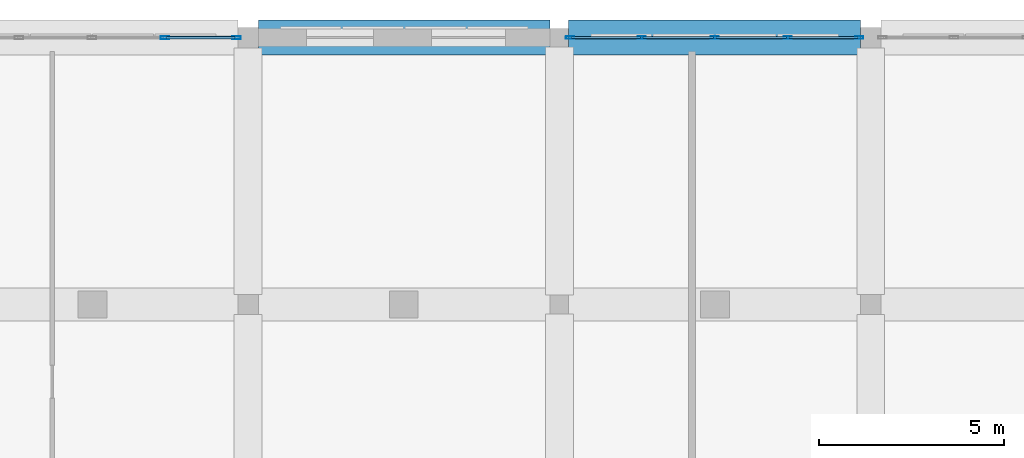
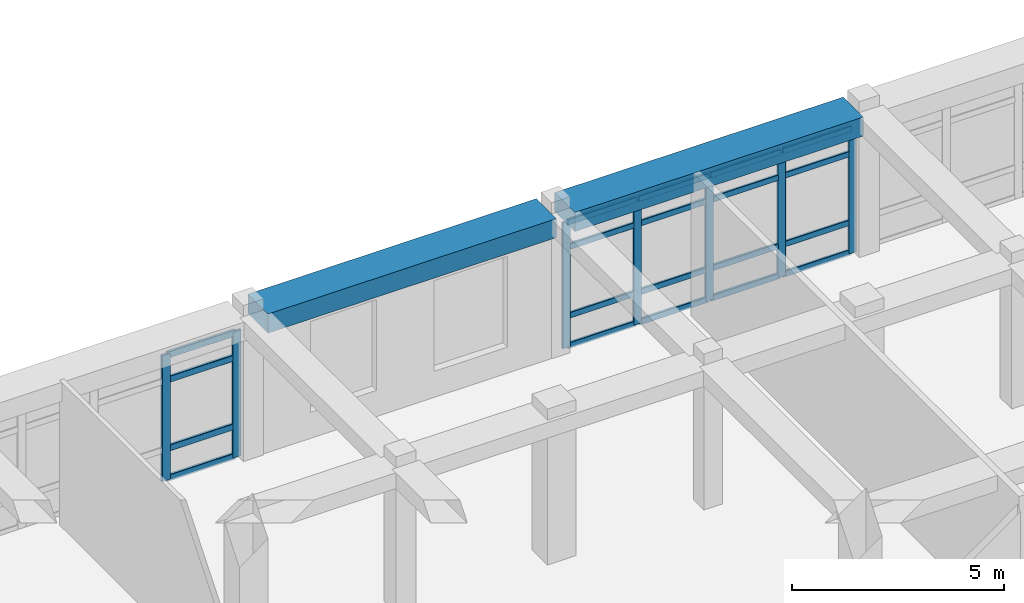
# One storey, part 49 of 121: 27 members, 2 beams, 2 elements without a shape of their own.
"""IFC4 building model written with IfcOpenShell, lengths in metres."""

from ifc_helpers import new_model, si_unit, derived_unit, direction, frame, origin, origin_2d, place, context, subcontext, project, spatial, rectangle, hollow_rectangle, extrude, material, material_profile, profile_set, type_object, element, aggregate, save


model = new_model("IFC4")

# Units and contexts
model_context = context("Model", 3, precision=1e-05, world=origin(), true_north=direction((0.0, 1.0)))
body_context = subcontext(model_context, "Body", "Model", "MODEL_VIEW")
ifc_project = project(units=[si_unit("LENGTHUNIT", "METRE"), si_unit("AREAUNIT", "SQUARE_METRE"), si_unit("VOLUMEUNIT", "CUBIC_METRE"), si_unit("PLANEANGLEUNIT", "RADIAN"), si_unit("MASSUNIT", "GRAM", prefix="KILO"), derived_unit("THERMALTRANSMITTANCEUNIT", [(si_unit("POWERUNIT", "WATT"), 1), (si_unit("LENGTHUNIT", "METRE"), -2), (si_unit("THERMODYNAMICTEMPERATUREUNIT", "KELVIN"), -1)])], contexts=[model_context])

# Site, building, storey
site_placement = place(None, origin())
site = spatial("IfcSite", under=ifc_project, at=site_placement, CompositionType="ELEMENT")
building_placement = place(site_placement, origin())
building = spatial("IfcBuilding", under=site, at=building_placement, Name="Veybourne Emporium", CompositionType="ELEMENT")
storey_placement = place(building_placement, frame((0.0, 0.0, 5.39990234375)))
storey = spatial("IfcBuildingStorey", under=building, at=storey_placement, Name="L01", CompositionType="ELEMENT", Elevation=5.39990234375)

# Curtain wall, members
ifc_material_1 = material(Name="Patinated Architectural Bronze", Category="bronze")
curtain_wall_type_1 = type_object("IfcCurtainWallType", Name="CWSystem_CWS-11", PredefinedType="NOTDEFINED", material=ifc_material_1)
curtain_wall_1_placement = place(storey_placement, origin())
curtain_wall_1 = element("IfcCurtainWall", 1, at=curtain_wall_1_placement, inside=storey, type_object=curtain_wall_type_1, Name="L01 bronze glazed curtain wall CWS-11 (036)", PredefinedType="NOTDEFINED")
ifc_material_profile_1 = material_profile(ifc_material_1, hollow_rectangle(XDim=0.077880859375, YDim=0.235107421875, WallThickness=0.0048828125, InnerFilletRadius=0.007568359375, OuterFilletRadius=0.012451171875, at=origin_2d()), Name="CWM 78x235x5")
ifc_profile_set_1 = profile_set([ifc_material_profile_1], Name="Patinated Architectural Bronze")
member_type_1 = type_object("IfcMemberType", Name="CWMullion_CW-M3", PredefinedType="MULLION", material=ifc_profile_set_1)
member_1_placement = place(storey_placement, frame((64.956298828125, 115.199951171875, 0.0), z_axis=(0.0, 0.0, 1.0), x_axis=(0.0, 1.0, 0.0)))
member_1 = element("IfcMember", 2, at=member_1_placement, type_object=member_type_1, Name="CWS-11 mullion 4", PredefinedType="MULLION", context=body_context, shape_type="SweptSolid", body=[
    extrude(hollow_rectangle(XDim=0.077880859375, YDim=0.235107421875, WallThickness=0.0048828125, InnerFilletRadius=0.007568359375, OuterFilletRadius=0.012451171875, at=origin_2d()), origin(), (0.0, 0.0, 1.0), 3.630126953125),
])
member_2_placement = place(storey_placement, frame((66.885986328125, 115.199951171875, 0.0), z_axis=(0.0, 0.0, 1.0), x_axis=(0.0, 1.0, 0.0)))
member_2 = element("IfcMember", 3, at=member_2_placement, type_object=member_type_1, Name="CWS-11 mullion 5", PredefinedType="MULLION", context=body_context, shape_type="SweptSolid", body=[
    extrude(hollow_rectangle(XDim=0.077880859375, YDim=0.235107421875, WallThickness=0.0048828125, InnerFilletRadius=0.007568359375, OuterFilletRadius=0.012451171875, at=origin_2d()), origin(), (0.0, 0.0, 1.0), 3.630126953125),
])

curtain_wall_type_2 = type_object("IfcCurtainWallType", Name="CWSystem_CWS-16", PredefinedType="NOTDEFINED", material=ifc_material_1)
curtain_wall_2_placement = place(storey_placement, origin())
curtain_wall_2 = element("IfcCurtainWall", 4, at=curtain_wall_2_placement, inside=storey, type_object=curtain_wall_type_2, Name="L01 bronze glazed curtain wall CWS-16 (042)", PredefinedType="NOTDEFINED")
ifc_material_profile_2 = material_profile(ifc_material_1, hollow_rectangle(XDim=0.070068359375, YDim=0.219970703125, WallThickness=0.0048828125, InnerFilletRadius=0.007568359375, OuterFilletRadius=0.012451171875, at=origin_2d()), Name="CWM 70x220x5")
ifc_profile_set_2 = profile_set([ifc_material_profile_2], Name="Patinated Architectural Bronze")
member_type_2 = type_object("IfcMemberType", Name="CWMullion_CW-M4", PredefinedType="MULLION", material=ifc_profile_set_2)
member_3_placement = place(storey_placement, frame((75.885009765625, 115.199951171875, 0.0), z_axis=(0.0, 0.0, 1.0), x_axis=(0.0, 1.0, 0.0)))
member_3 = element("IfcMember", 5, at=member_3_placement, type_object=member_type_2, Name="CWS-16 mullion 1", PredefinedType="MULLION", context=body_context, shape_type="SweptSolid", body=[
    extrude(hollow_rectangle(XDim=0.070068359375, YDim=0.219970703125, WallThickness=0.0048828125, InnerFilletRadius=0.007568359375, OuterFilletRadius=0.012451171875, at=origin_2d()), origin(), (0.0, 0.0, 1.0), 3.630126953125),
])
member_4_placement = place(storey_placement, frame((77.81884765625, 115.199951171875, 0.0), z_axis=(0.0, 0.0, 1.0), x_axis=(0.0, 1.0, 0.0)))
member_4 = element("IfcMember", 6, at=member_4_placement, type_object=member_type_2, Name="CWS-16 mullion 2", PredefinedType="MULLION", context=body_context, shape_type="SweptSolid", body=[
    extrude(hollow_rectangle(XDim=0.070068359375, YDim=0.219970703125, WallThickness=0.0048828125, InnerFilletRadius=0.007568359375, OuterFilletRadius=0.012451171875, at=origin_2d()), origin(), (0.0, 0.0, 1.0), 3.630126953125),
])
member_5_placement = place(storey_placement, frame((79.78759765625, 115.199951171875, 0.0), z_axis=(0.0, 0.0, 1.0), x_axis=(0.0, 1.0, 0.0)))
member_5 = element("IfcMember", 7, at=member_5_placement, type_object=member_type_2, Name="CWS-16 mullion 3", PredefinedType="MULLION", context=body_context, shape_type="SweptSolid", body=[
    extrude(hollow_rectangle(XDim=0.070068359375, YDim=0.219970703125, WallThickness=0.0048828125, InnerFilletRadius=0.007568359375, OuterFilletRadius=0.012451171875, at=origin_2d()), origin(), (0.0, 0.0, 1.0), 3.630126953125),
])
member_6_placement = place(storey_placement, frame((81.75634765625, 115.199951171875, 0.0), z_axis=(0.0, 0.0, 1.0), x_axis=(0.0, 1.0, 0.0)))
member_6 = element("IfcMember", 8, at=member_6_placement, type_object=member_type_2, Name="CWS-16 mullion 4", PredefinedType="MULLION", context=body_context, shape_type="SweptSolid", body=[
    extrude(hollow_rectangle(XDim=0.070068359375, YDim=0.219970703125, WallThickness=0.0048828125, InnerFilletRadius=0.007568359375, OuterFilletRadius=0.012451171875, at=origin_2d()), origin(), (0.0, 0.0, 1.0), 3.630126953125),
])
member_7_placement = place(storey_placement, frame((83.68994140625, 115.199951171875, 0.0), z_axis=(0.0, 0.0, 1.0), x_axis=(0.0, 1.0, 0.0)))
member_7 = element("IfcMember", 9, at=member_7_placement, type_object=member_type_2, Name="CWS-16 mullion 5", PredefinedType="MULLION", context=body_context, shape_type="SweptSolid", body=[
    extrude(hollow_rectangle(XDim=0.070068359375, YDim=0.219970703125, WallThickness=0.0048828125, InnerFilletRadius=0.007568359375, OuterFilletRadius=0.012451171875, at=origin_2d()), origin(), (0.0, 0.0, 1.0), 3.630126953125),
])

# Member
ifc_material_profile_3 = material_profile(ifc_material_1, hollow_rectangle(XDim=0.077880859375, YDim=0.18505859375, WallThickness=0.0048828125, InnerFilletRadius=0.007568359375, OuterFilletRadius=0.012451171875, at=origin_2d()), Name="CWT 78x185x5")
ifc_profile_set_3 = profile_set([ifc_material_profile_3], Name="Patinated Architectural Bronze")
member_type_3 = type_object("IfcMemberType", Name="CWTransom_CW-T3", PredefinedType="NOTDEFINED", material=ifc_profile_set_3)
member_8_placement = place(storey_placement, frame((64.995361328125, 115.199951171875, 0.0390625), z_axis=(1.0, 0.0, 0.0), x_axis=(0.0, 1.0, 0.0)))
member_8 = element("IfcMember", 10, at=member_8_placement, type_object=member_type_3, Name="CWS-11 transom 4.1", ObjectType="TRANSOM", PredefinedType="USERDEFINED", context=body_context, shape_type="SweptSolid", body=[
    extrude(hollow_rectangle(XDim=0.077880859375, YDim=0.18505859375, WallThickness=0.0048828125, InnerFilletRadius=0.007568359375, OuterFilletRadius=0.012451171875, at=origin_2d()), origin(), (0.0, 0.0, 1.0), 1.8515625),
])

member_9_placement = place(storey_placement, frame((64.995361328125, 115.199951171875, 0.900146484375), z_axis=(1.0, 0.0, 0.0), x_axis=(0.0, 1.0, 0.0)))
member_9 = element("IfcMember", 11, at=member_9_placement, type_object=member_type_3, Name="CWS-11 transom 4.2", ObjectType="TRANSOM", PredefinedType="USERDEFINED", context=body_context, shape_type="SweptSolid", body=[
    extrude(hollow_rectangle(XDim=0.077880859375, YDim=0.18505859375, WallThickness=0.0048828125, InnerFilletRadius=0.007568359375, OuterFilletRadius=0.012451171875, at=origin_2d()), origin(), (0.0, 0.0, 1.0), 1.8515625),
])

member_10_placement = place(storey_placement, frame((64.995361328125, 115.199951171875, 2.880126953125), z_axis=(1.0, 0.0, 0.0), x_axis=(0.0, 1.0, 0.0)))
member_10 = element("IfcMember", 12, at=member_10_placement, type_object=member_type_3, Name="CWS-11 transom 4.3", ObjectType="TRANSOM", PredefinedType="USERDEFINED", context=body_context, shape_type="SweptSolid", body=[
    extrude(hollow_rectangle(XDim=0.077880859375, YDim=0.18505859375, WallThickness=0.0048828125, InnerFilletRadius=0.007568359375, OuterFilletRadius=0.012451171875, at=origin_2d()), origin(), (0.0, 0.0, 1.0), 1.8515625),
])

member_11_placement = place(storey_placement, frame((64.995361328125, 115.199951171875, 3.591064453125), z_axis=(1.0, 0.0, 0.0), x_axis=(0.0, 1.0, 0.0)))
member_11 = element("IfcMember", 13, at=member_11_placement, type_object=member_type_3, Name="CWS-11 transom 4.4", ObjectType="TRANSOM", PredefinedType="USERDEFINED", context=body_context, shape_type="SweptSolid", body=[
    extrude(hollow_rectangle(XDim=0.077880859375, YDim=0.18505859375, WallThickness=0.0048828125, InnerFilletRadius=0.007568359375, OuterFilletRadius=0.012451171875, at=origin_2d()), origin(), (0.0, 0.0, 1.0), 1.8515625),
])

aggregate(curtain_wall_1, [member_1, member_2, member_8, member_9, member_10, member_11])

ifc_material_profile_4 = material_profile(ifc_material_1, hollow_rectangle(XDim=0.070068359375, YDim=0.169921875, WallThickness=0.0048828125, InnerFilletRadius=0.007568359375, OuterFilletRadius=0.012451171875, at=origin_2d()), Name="CWT 70x170x5")
ifc_profile_set_4 = profile_set([ifc_material_profile_4], Name="Patinated Architectural Bronze")
member_type_4 = type_object("IfcMemberType", Name="CWTransom_CW-T4", PredefinedType="NOTDEFINED", material=ifc_profile_set_4)
member_12_placement = place(storey_placement, frame((75.919921875, 115.199951171875, 0.03515625), z_axis=(1.0, 0.0, 0.0), x_axis=(0.0, 1.0, 0.0)))
member_12 = element("IfcMember", 14, at=member_12_placement, type_object=member_type_4, Name="CWS-16 transom 1.1", ObjectType="TRANSOM", PredefinedType="USERDEFINED", context=body_context, shape_type="SweptSolid", body=[
    extrude(hollow_rectangle(XDim=0.070068359375, YDim=0.169921875, WallThickness=0.0048828125, InnerFilletRadius=0.007568359375, OuterFilletRadius=0.012451171875, at=origin_2d()), origin(), (0.0, 0.0, 1.0), 1.86376953125),
])

member_13_placement = place(storey_placement, frame((75.919921875, 115.199951171875, 0.900146484375), z_axis=(1.0, 0.0, 0.0), x_axis=(0.0, 1.0, 0.0)))
member_13 = element("IfcMember", 15, at=member_13_placement, type_object=member_type_4, Name="CWS-16 transom 1.2", ObjectType="TRANSOM", PredefinedType="USERDEFINED", context=body_context, shape_type="SweptSolid", body=[
    extrude(hollow_rectangle(XDim=0.070068359375, YDim=0.169921875, WallThickness=0.0048828125, InnerFilletRadius=0.007568359375, OuterFilletRadius=0.012451171875, at=origin_2d()), origin(), (0.0, 0.0, 1.0), 1.86376953125),
])

member_14_placement = place(storey_placement, frame((75.919921875, 115.199951171875, 2.880126953125), z_axis=(1.0, 0.0, 0.0), x_axis=(0.0, 1.0, 0.0)))
member_14 = element("IfcMember", 16, at=member_14_placement, type_object=member_type_4, Name="CWS-16 transom 1.3", ObjectType="TRANSOM", PredefinedType="USERDEFINED", context=body_context, shape_type="SweptSolid", body=[
    extrude(hollow_rectangle(XDim=0.070068359375, YDim=0.169921875, WallThickness=0.0048828125, InnerFilletRadius=0.007568359375, OuterFilletRadius=0.012451171875, at=origin_2d()), origin(), (0.0, 0.0, 1.0), 1.86376953125),
])

member_15_placement = place(storey_placement, frame((75.919921875, 115.199951171875, 3.59521484375), z_axis=(1.0, 0.0, 0.0), x_axis=(0.0, 1.0, 0.0)))
member_15 = element("IfcMember", 17, at=member_15_placement, type_object=member_type_4, Name="CWS-16 transom 1.4", ObjectType="TRANSOM", PredefinedType="USERDEFINED", context=body_context, shape_type="SweptSolid", body=[
    extrude(hollow_rectangle(XDim=0.070068359375, YDim=0.169921875, WallThickness=0.0048828125, InnerFilletRadius=0.007568359375, OuterFilletRadius=0.012451171875, at=origin_2d()), origin(), (0.0, 0.0, 1.0), 1.86376953125),
])

member_16_placement = place(storey_placement, frame((77.853759765625, 115.199951171875, 0.03515625), z_axis=(1.0, 0.0, 0.0), x_axis=(0.0, 1.0, 0.0)))
member_16 = element("IfcMember", 18, at=member_16_placement, type_object=member_type_4, Name="CWS-16 transom 2.1", ObjectType="TRANSOM", PredefinedType="USERDEFINED", context=body_context, shape_type="SweptSolid", body=[
    extrude(hollow_rectangle(XDim=0.070068359375, YDim=0.169921875, WallThickness=0.0048828125, InnerFilletRadius=0.007568359375, OuterFilletRadius=0.012451171875, at=origin_2d()), origin(), (0.0, 0.0, 1.0), 1.898681640625),
])

member_17_placement = place(storey_placement, frame((77.853759765625, 115.199951171875, 0.900146484375), z_axis=(1.0, 0.0, 0.0), x_axis=(0.0, 1.0, 0.0)))
member_17 = element("IfcMember", 19, at=member_17_placement, type_object=member_type_4, Name="CWS-16 transom 2.2", ObjectType="TRANSOM", PredefinedType="USERDEFINED", context=body_context, shape_type="SweptSolid", body=[
    extrude(hollow_rectangle(XDim=0.070068359375, YDim=0.169921875, WallThickness=0.0048828125, InnerFilletRadius=0.007568359375, OuterFilletRadius=0.012451171875, at=origin_2d()), origin(), (0.0, 0.0, 1.0), 1.898681640625),
])

member_18_placement = place(storey_placement, frame((77.853759765625, 115.199951171875, 2.880126953125), z_axis=(1.0, 0.0, 0.0), x_axis=(0.0, 1.0, 0.0)))
member_18 = element("IfcMember", 20, at=member_18_placement, type_object=member_type_4, Name="CWS-16 transom 2.3", ObjectType="TRANSOM", PredefinedType="USERDEFINED", context=body_context, shape_type="SweptSolid", body=[
    extrude(hollow_rectangle(XDim=0.070068359375, YDim=0.169921875, WallThickness=0.0048828125, InnerFilletRadius=0.007568359375, OuterFilletRadius=0.012451171875, at=origin_2d()), origin(), (0.0, 0.0, 1.0), 1.898681640625),
])

member_19_placement = place(storey_placement, frame((77.853759765625, 115.199951171875, 3.59521484375), z_axis=(1.0, 0.0, 0.0), x_axis=(0.0, 1.0, 0.0)))
member_19 = element("IfcMember", 21, at=member_19_placement, type_object=member_type_4, Name="CWS-16 transom 2.4", ObjectType="TRANSOM", PredefinedType="USERDEFINED", context=body_context, shape_type="SweptSolid", body=[
    extrude(hollow_rectangle(XDim=0.070068359375, YDim=0.169921875, WallThickness=0.0048828125, InnerFilletRadius=0.007568359375, OuterFilletRadius=0.012451171875, at=origin_2d()), origin(), (0.0, 0.0, 1.0), 1.898681640625),
])

member_20_placement = place(storey_placement, frame((79.822509765625, 115.199951171875, 0.03515625), z_axis=(1.0, 0.0, 0.0), x_axis=(0.0, 1.0, 0.0)))
member_20 = element("IfcMember", 22, at=member_20_placement, type_object=member_type_4, Name="CWS-16 transom 3.1", ObjectType="TRANSOM", PredefinedType="USERDEFINED", context=body_context, shape_type="SweptSolid", body=[
    extrude(hollow_rectangle(XDim=0.070068359375, YDim=0.169921875, WallThickness=0.0048828125, InnerFilletRadius=0.007568359375, OuterFilletRadius=0.012451171875, at=origin_2d()), origin(), (0.0, 0.0, 1.0), 1.898681640625),
])

member_21_placement = place(storey_placement, frame((79.822509765625, 115.199951171875, 0.900146484375), z_axis=(1.0, 0.0, 0.0), x_axis=(0.0, 1.0, 0.0)))
member_21 = element("IfcMember", 23, at=member_21_placement, type_object=member_type_4, Name="CWS-16 transom 3.2", ObjectType="TRANSOM", PredefinedType="USERDEFINED", context=body_context, shape_type="SweptSolid", body=[
    extrude(hollow_rectangle(XDim=0.070068359375, YDim=0.169921875, WallThickness=0.0048828125, InnerFilletRadius=0.007568359375, OuterFilletRadius=0.012451171875, at=origin_2d()), origin(), (0.0, 0.0, 1.0), 1.898681640625),
])

member_22_placement = place(storey_placement, frame((79.822509765625, 115.199951171875, 2.880126953125), z_axis=(1.0, 0.0, 0.0), x_axis=(0.0, 1.0, 0.0)))
member_22 = element("IfcMember", 24, at=member_22_placement, type_object=member_type_4, Name="CWS-16 transom 3.3", ObjectType="TRANSOM", PredefinedType="USERDEFINED", context=body_context, shape_type="SweptSolid", body=[
    extrude(hollow_rectangle(XDim=0.070068359375, YDim=0.169921875, WallThickness=0.0048828125, InnerFilletRadius=0.007568359375, OuterFilletRadius=0.012451171875, at=origin_2d()), origin(), (0.0, 0.0, 1.0), 1.898681640625),
])

member_23_placement = place(storey_placement, frame((79.822509765625, 115.199951171875, 3.59521484375), z_axis=(1.0, 0.0, 0.0), x_axis=(0.0, 1.0, 0.0)))
member_23 = element("IfcMember", 25, at=member_23_placement, type_object=member_type_4, Name="CWS-16 transom 3.4", ObjectType="TRANSOM", PredefinedType="USERDEFINED", context=body_context, shape_type="SweptSolid", body=[
    extrude(hollow_rectangle(XDim=0.070068359375, YDim=0.169921875, WallThickness=0.0048828125, InnerFilletRadius=0.007568359375, OuterFilletRadius=0.012451171875, at=origin_2d()), origin(), (0.0, 0.0, 1.0), 1.898681640625),
])

member_24_placement = place(storey_placement, frame((81.791259765625, 115.199951171875, 0.03515625), z_axis=(1.0, 0.0, 0.0), x_axis=(0.0, 1.0, 0.0)))
member_24 = element("IfcMember", 26, at=member_24_placement, type_object=member_type_4, Name="CWS-16 transom 4.1", ObjectType="TRANSOM", PredefinedType="USERDEFINED", context=body_context, shape_type="SweptSolid", body=[
    extrude(hollow_rectangle(XDim=0.070068359375, YDim=0.169921875, WallThickness=0.0048828125, InnerFilletRadius=0.007568359375, OuterFilletRadius=0.012451171875, at=origin_2d()), origin(), (0.0, 0.0, 1.0), 1.86376953125),
])

member_25_placement = place(storey_placement, frame((81.791259765625, 115.199951171875, 0.900146484375), z_axis=(1.0, 0.0, 0.0), x_axis=(0.0, 1.0, 0.0)))
member_25 = element("IfcMember", 27, at=member_25_placement, type_object=member_type_4, Name="CWS-16 transom 4.2", ObjectType="TRANSOM", PredefinedType="USERDEFINED", context=body_context, shape_type="SweptSolid", body=[
    extrude(hollow_rectangle(XDim=0.070068359375, YDim=0.169921875, WallThickness=0.0048828125, InnerFilletRadius=0.007568359375, OuterFilletRadius=0.012451171875, at=origin_2d()), origin(), (0.0, 0.0, 1.0), 1.86376953125),
])

member_26_placement = place(storey_placement, frame((81.791259765625, 115.199951171875, 2.880126953125), z_axis=(1.0, 0.0, 0.0), x_axis=(0.0, 1.0, 0.0)))
member_26 = element("IfcMember", 28, at=member_26_placement, type_object=member_type_4, Name="CWS-16 transom 4.3", ObjectType="TRANSOM", PredefinedType="USERDEFINED", context=body_context, shape_type="SweptSolid", body=[
    extrude(hollow_rectangle(XDim=0.070068359375, YDim=0.169921875, WallThickness=0.0048828125, InnerFilletRadius=0.007568359375, OuterFilletRadius=0.012451171875, at=origin_2d()), origin(), (0.0, 0.0, 1.0), 1.86376953125),
])

member_27_placement = place(storey_placement, frame((81.791259765625, 115.199951171875, 3.59521484375), z_axis=(1.0, 0.0, 0.0), x_axis=(0.0, 1.0, 0.0)))
member_27 = element("IfcMember", 29, at=member_27_placement, type_object=member_type_4, Name="CWS-16 transom 4.4", ObjectType="TRANSOM", PredefinedType="USERDEFINED", context=body_context, shape_type="SweptSolid", body=[
    extrude(hollow_rectangle(XDim=0.070068359375, YDim=0.169921875, WallThickness=0.0048828125, InnerFilletRadius=0.007568359375, OuterFilletRadius=0.012451171875, at=origin_2d()), origin(), (0.0, 0.0, 1.0), 1.86376953125),
])

aggregate(curtain_wall_2, [member_3, member_4, member_5, member_6, member_7, member_12, member_13, member_14, member_15, member_16, member_17, member_18, member_19, member_20, member_21, member_22, member_23, member_24, member_25, member_26, member_27])

# Beams
ifc_material_2 = material(Name="Concrete C32/40", Category="concrete")
ifc_material_profile_5 = material_profile(ifc_material_2, rectangle(XDim=0.949951171875, YDim=0.550048828125, at=origin_2d()), Name="RC 950x550")
ifc_profile_set_5 = profile_set([ifc_material_profile_5], Name="Concrete C32/40")
beam_type = type_object("IfcBeamType", Name="RCBeam_EB-01", PredefinedType="SPANDREL", material=ifc_profile_set_5)
for number, where, z_axis, x_axis, name in (
    (30, (67.47509765625, 115.199951171875, 3.905029296875), (1.0, 0.0, 0.0), (0.0, 1.0, 0.0), "L01 X-grid beam EB-01 (8,16)"),
    (31, (75.85009765625, 115.199951171875, 3.905029296875), (1.0, 0.0, 0.0), (0.0, 1.0, 0.0), "L01 X-grid beam EB-01 (9,16)"),
):
    element("IfcBeam", number, at=place(storey_placement, frame(where, z_axis=z_axis, x_axis=x_axis)), inside=storey, type_object=beam_type, Name=name, PredefinedType="SPANDREL", context=body_context, shape_type="SweptSolid", body=[
        extrude(rectangle(XDim=0.949951171875, YDim=0.550048828125, at=origin_2d()), origin(), (0.0, 0.0, 1.0), 7.875),
    ])

save(model, "model.ifc")
